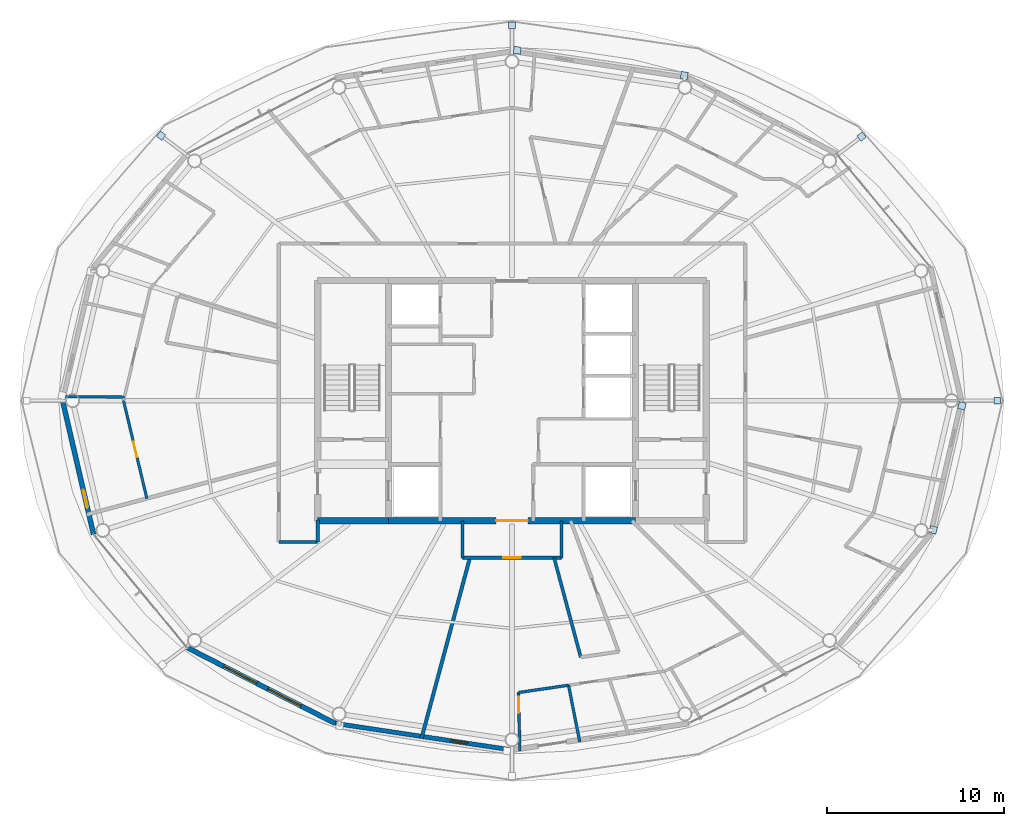
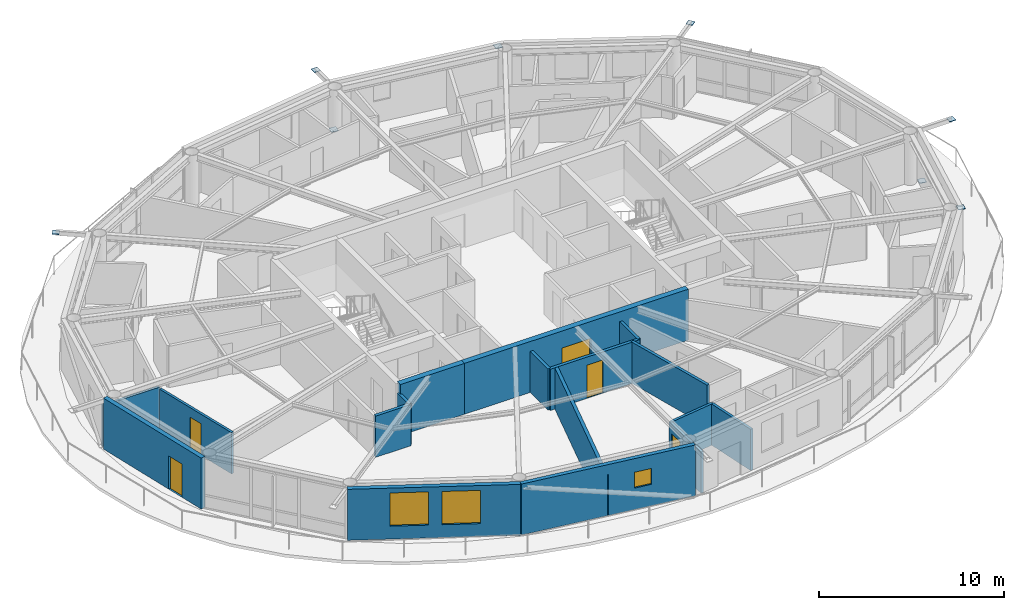
# One storey, part 15 of 23: 17 walls, 8 plates, 5 doors, 3 windows, 8 openings.
"""IFC4 building model written with IfcOpenShell, lengths in metres."""

from ifc_helpers import new_model, si_unit, direction, frame, frame_2d, origin, origin_2d, place, context, subcontext, project, spatial, rectangle, extrude, material, layer, layer_set, type_object, element, fill, save


model = new_model("IFC4")

# Units and contexts
model_context = context("Model", 3, precision=1e-05, world=origin(), true_north=direction((0.0, 1.0)))
body_context = subcontext(model_context, "Body", "Model", "MODEL_VIEW")
ifc_project = project(units=[si_unit("LENGTHUNIT", "METRE"), si_unit("AREAUNIT", "SQUARE_METRE"), si_unit("VOLUMEUNIT", "CUBIC_METRE"), si_unit("PLANEANGLEUNIT", "RADIAN"), si_unit("MASSUNIT", "GRAM", prefix="KILO")], contexts=[model_context])

# Site, building, storey
site_placement = place(None, origin())
site = spatial("IfcSite", under=ifc_project, at=site_placement, CompositionType="ELEMENT")
building_placement = place(site_placement, origin())
building = spatial("IfcBuilding", under=site, at=building_placement, Name="Sarneth Arch Tower", CompositionType="ELEMENT")
storey_placement = place(building_placement, frame((0.0, 0.0, 269.39990234375)))
storey = spatial("IfcBuildingStorey", under=building, at=storey_placement, Name="L69", CompositionType="ELEMENT", Elevation=269.39990234375)

# Plates
ifc_material_1 = material(Name="Steel S355", Category="steel")
ifc_layer_1 = layer(ifc_material_1, 0.035888671875)
ifc_layer_set_1 = layer_set([ifc_layer_1], Name="Steel S355")
plate_type = type_object("IfcPlateType", Name="PLT-GUSSET-30", PredefinedType="SHEET", material=ifc_layer_set_1)
for number, where, z_axis, x_axis, name in (
    (1, (75.47900390625, 42.0, 3.1923828125), (0.0, 0.0, 1.0), (1.0, 0.0, 0.0), "Steel end cap plate GP-1"),
    (2, (67.79248046875, 56.948974609375, 3.1923828125), (0.0, 0.0, 1.0), (0.798004853043, 0.602651022168, 0.0), "Steel end cap plate GP-1"),
):
    element("IfcPlate", number, at=place(storey_placement, frame(where, z_axis=z_axis, x_axis=x_axis)), inside=storey, type_object=plate_type, Name=name, PredefinedType="SHEET", context=body_context, shape_type="SweptSolid", body=[
        extrude(rectangle(XDim=0.3798828125, YDim=0.3798828125, at=origin_2d()), origin(), (0.0, 0.0, 1.0), 0.035888671875),
    ])
for number, where, z_axis, x_axis, name in (
    (3, (48.296630859375, 61.83544921875, 0.001953125), (0.0, 0.0, 1.0), (-0.988860535448, 0.148845024885, 0.0), "Steel end cap plate GP-1"),
    (4, (57.754150390625, 60.411376953125, 3.07421875), (0.0, 0.0, 1.0), (-0.988860535448, 0.148845024885, 0.0), "Steel end cap plate GP-1"),
):
    element("IfcPlate", number, at=place(storey_placement, frame(where, z_axis=z_axis, x_axis=x_axis)), inside=storey, type_object=plate_type, Name=name, PredefinedType="SHEET", context=body_context, shape_type="SweptSolid", body=[
        extrude(rectangle(XDim=0.404052734375, YDim=0.404052734375, at=origin_2d()), origin(), (0.0, 0.0, 1.0), 0.035888671875),
    ])
for number, where, z_axis, x_axis, name in (
    (5, (48.0, 63.254150390625, 3.1923828125), (0.0, 0.0, 1.0), (0.0, 1.0, 0.0), "Steel end cap plate GP-1"),
    (6, (28.13134765625, 57.006591796875, 3.1923828125), (0.0, 0.0, 1.0), (-0.798004853043, 0.602651022168, 0.0), "Steel end cap plate GP-1"),
):
    element("IfcPlate", number, at=place(storey_placement, frame(where, z_axis=z_axis, x_axis=x_axis)), inside=storey, type_object=plate_type, Name=name, PredefinedType="SHEET", context=body_context, shape_type="SweptSolid", body=[
        extrude(rectangle(XDim=0.3798828125, YDim=0.3798828125, at=origin_2d()), origin(), (0.0, 0.0, 1.0), 0.035888671875),
    ])
for number, where, z_axis, x_axis, name in (
    (7, (73.4765625, 41.707763671875, 0.001953125), (0.0, 0.0, 1.0), (0.225461202458, 0.974252147129, 0.0), "Steel end cap plate GP-1"),
    (8, (71.851806640625, 34.6845703125, 3.07421875), (0.0, 0.0, 1.0), (0.225461202458, 0.974252147129, 0.0), "Steel end cap plate GP-1"),
):
    element("IfcPlate", number, at=place(storey_placement, frame(where, z_axis=z_axis, x_axis=x_axis)), inside=storey, type_object=plate_type, Name=name, PredefinedType="SHEET", context=body_context, shape_type="SweptSolid", body=[
        extrude(rectangle(XDim=0.404052734375, YDim=0.404052734375, at=origin_2d()), origin(), (0.0, 0.0, 1.0), 0.035888671875),
    ])

# Wall
ifc_material_2 = material(Name="Concrete C50/60", Category="concrete")
ifc_layer_2 = layer(ifc_material_2, 0.35009765625)
ifc_layer_set_2 = layer_set([ifc_layer_2], Name="Concrete C50/60")
wall_type_1 = type_object("IfcWallType", Name="WALL-CORE-350", PredefinedType="SHEAR", material=ifc_layer_set_2)
wall_1_placement = place(storey_placement, frame((37.0, 35.199951171875, 0.0), z_axis=(0.0, 0.0, 1.0), x_axis=(1.0, 0.0, 0.0)))
element("IfcWall", 9, at=wall_1_placement, inside=storey, type_object=wall_type_1, Name="L69 Core shear wall S-W", PredefinedType="SHEAR", context=body_context, shape_type="SweptSolid", body=[
    extrude(rectangle(XDim=4.0, YDim=0.35009765625, at=frame_2d((2.0, 0.0))), origin(), (0.0, 0.0, 1.0), 3.3701171875),
])

# Wall, opening, door
wall_2_placement = place(storey_placement, frame((41.0, 35.199951171875, 0.0), z_axis=(0.0, 0.0, 1.0), x_axis=(1.0, 0.0, 0.0)))
wall_2 = element("IfcWall", 10, at=wall_2_placement, inside=storey, type_object=wall_type_1, Name="L69 Core shear wall S-M", PredefinedType="SHEAR", context=body_context, shape_type="SweptSolid", body=[
    extrude(rectangle(XDim=14.0, YDim=0.35009765625, at=frame_2d((7.0, 0.0))), origin(), (0.0, 0.0, 1.0), 3.3701171875),
])
opening_1_placement = place(wall_2_placement, frame((6.10009765625, 0.0, 0.0)))
opening_1 = element("IfcOpeningElement", 11, at=opening_1_placement, cuts=wall_2, Name="Opening FD-01", PredefinedType="OPENING", context=body_context, shape_type="SweptSolid", body=[
    extrude(rectangle(XDim=1.800048828125, YDim=2.25, at=frame_2d((0.89990234375, 1.125))), frame((0.0, 0.18505859375, 0.0), z_axis=(0.0, -1.0, 0.0), x_axis=(1.0, 0.0, 0.0)), (0.0, 0.0, 1.0), 0.3701171875),
])
ifc_material_3 = material(Name="Galvanised Steel S275 fire door set", Category="steel")
door_type_1 = type_object("IfcDoorType", Name="DR-FD90-1800", OperationType="DOUBLE_DOOR_SINGLE_SWING", PredefinedType="DOOR", material=ifc_material_3)
door_1_placement = place(opening_1_placement, origin())
door_1 = element("IfcDoor", 12, at=door_1_placement, inside=storey, type_object=door_type_1, Name="L69 Central lift lobby south door", OperationType="DOUBLE_DOOR_SINGLE_SWING", OverallHeight=2.25, OverallWidth=1.800048828125, PredefinedType="DOOR", context=body_context, shape_type="SweptSolid", body=[
    extrude(rectangle(XDim=1.800048828125, YDim=2.25, at=frame_2d((0.89990234375, 1.125))), frame((0.0, 0.02490234375, 0.0), z_axis=(0.0, -1.0, 0.0), x_axis=(1.0, 0.0, 0.0)), (0.0, 0.0, 1.0), 0.050048828125),
])
fill(opening_1, door_1)

ifc_material_4 = material(Name="Double steel-stud corridor fire wall", Category="steel")
ifc_layer_3 = layer(ifc_material_4, 0.18994140625)
ifc_layer_set_3 = layer_set([ifc_layer_3], Name="Double steel-stud corridor fire wall")
wall_type_2 = type_object("IfcWallType", Name="WALL-CORR-190", PredefinedType="PARTITIONING", material=ifc_layer_set_3)
wall_3_placement = place(storey_placement, frame((50.800048828125, 33.10009765625, 0.0), z_axis=(0.0, 0.0, 1.0), x_axis=(-1.0, 0.0, 0.0)))
wall_3 = element("IfcWall", 13, at=wall_3_placement, inside=storey, type_object=wall_type_2, Name="L69 Interior partition W-L69-TP-021", PredefinedType="PARTITIONING", context=body_context, shape_type="SweptSolid", body=[
    extrude(rectangle(XDim=5.60009765625, YDim=0.18994140625, at=frame_2d((2.800048828125, 0.0))), origin(), (0.0, 0.0, 1.0), 2.72998046875),
])
opening_2_placement = place(wall_3_placement, frame((2.300048828125, 0.0, 0.0)))
opening_2 = element("IfcOpeningElement", 14, at=opening_2_placement, cuts=wall_3, Name="Opening FD-08", PredefinedType="OPENING", context=body_context, shape_type="SweptSolid", body=[
    extrude(rectangle(XDim=1.0, YDim=2.199951171875, at=frame_2d((0.5, 1.10009765625))), frame((0.0, 0.10498046875, 0.0), z_axis=(0.0, -1.0, 0.0), x_axis=(1.0, 0.0, 0.0)), (0.0, 0.0, 1.0), 0.2099609375),
])
ifc_material_5 = material(Name="Hardwood timber acoustic fire door", Category="wood")
door_type_2 = type_object("IfcDoorType", Name="DR-FD60-1000", OperationType="SINGLE_SWING_LEFT", PredefinedType="DOOR", material=ifc_material_5)
door_2_placement = place(opening_2_placement, origin())
door_2 = element("IfcDoor", 15, at=door_2_placement, inside=storey, type_object=door_type_2, Name="L69 Interior door DR-L69-U5-ENT", OperationType="SINGLE_SWING_LEFT", OverallHeight=2.199951171875, OverallWidth=1.0, PredefinedType="DOOR", context=body_context, shape_type="SweptSolid", body=[
    extrude(rectangle(XDim=1.0, YDim=2.199951171875, at=frame_2d((0.5, 1.10009765625))), frame((0.0, 0.02490234375, 0.0), z_axis=(0.0, -1.0, 0.0), x_axis=(1.0, 0.0, 0.0)), (0.0, 0.0, 1.0), 0.050048828125),
])
fill(opening_2, door_2)

# Walls
wall_4_placement = place(storey_placement, frame((37.0, 34.0, 0.0), z_axis=(0.0, 0.0, 1.0), x_axis=(-1.0, 0.0, 0.0)))
element("IfcWall", 16, at=wall_4_placement, inside=storey, type_object=wall_type_2, Name="L69 Interior partition W-L69-TP-012", PredefinedType="PARTITIONING", context=body_context, shape_type="SweptSolid", body=[
    extrude(rectangle(XDim=2.199951171875, YDim=0.18994140625, at=frame_2d((1.10009765625, 0.0))), origin(), (0.0, 0.0, 1.0), 2.72998046875),
])
wall_5_placement = place(storey_placement, frame((45.199951171875, 35.199951171875, 0.0), z_axis=(0.0, 0.0, 1.0), x_axis=(0.0, -1.0, 0.0)))
element("IfcWall", 17, at=wall_5_placement, inside=storey, type_object=wall_type_2, Name="L69 Interior partition W-L69-TP-019", PredefinedType="PARTITIONING", context=body_context, shape_type="SweptSolid", body=[
    extrude(rectangle(XDim=2.099853515625, YDim=0.18994140625, at=frame_2d((1.0498046875, 0.0))), origin(), (0.0, 0.0, 1.0), 2.72998046875),
])
wall_6_placement = place(storey_placement, frame((37.0, 35.23193359375, 0.0), z_axis=(0.0, 0.0, 1.0), x_axis=(0.0, -1.0, 0.0)))
element("IfcWall", 18, at=wall_6_placement, inside=storey, type_object=wall_type_2, Name="L69 Interior partition W-L69-TP-011", PredefinedType="PARTITIONING", context=body_context, shape_type="SweptSolid", body=[
    extrude(rectangle(XDim=1.23193359375, YDim=0.18994140625, at=frame_2d((0.615966796875, 0.0))), origin(), (0.0, 0.0, 1.0), 2.72998046875),
])

# Wall, opening, window
ifc_material_6 = material(Name="Extruded terracotta rainscreen on Concrete C40/50 backing", Category="masonry")
ifc_layer_4 = layer(ifc_material_6, 0.25)
ifc_layer_set_4 = layer_set([ifc_layer_4], Name="Extruded terracotta rainscreen on Concrete C40/50 backing")
wall_type_3 = type_object("IfcWallType", Name="WALL-EXT-SPAND-250", PredefinedType="SOLIDWALL", material=ifc_layer_set_4)
wall_7_placement = place(storey_placement, frame((37.9873046875, 23.7255859375, 0.0), z_axis=(0.0, 0.0, 1.0), x_axis=(0.988882522213, -0.148698881169, 0.0)))
wall_7 = element("IfcWall", 19, at=wall_7_placement, inside=storey, type_object=wall_type_3, Name="L69 Terracotta perimeter wall 12", PredefinedType="SOLIDWALL", context=body_context, shape_type="SweptSolid", body=[
    extrude(rectangle(XDim=10.125244140625, YDim=0.25, at=frame_2d((5.0625, 0.0))), origin(), (0.0, 0.0, 1.0), 3.3701171875),
])
opening_3_placement = place(wall_7_placement, frame((6.58056640625, 0.0, 1.419921875)))
opening_3 = element("IfcOpeningElement", 20, at=opening_3_placement, cuts=wall_7, Name="Opening W-14", PredefinedType="OPENING", context=body_context, shape_type="SweptSolid", body=[
    extrude(rectangle(XDim=1.0, YDim=1.050048828125, at=frame_2d((0.5, 0.52490234375))), frame((0.0, 0.135009765625, 0.0), z_axis=(0.0, -1.0, 0.0), x_axis=(1.0, 0.0, 0.0)), (0.0, 0.0, 1.0), 0.27001953125),
])
ifc_material_7 = material(Name="Thermally broken Aluminium 6063-T6 and low-e laminated IGU", Category="aluminium")
window_type_1 = type_object("IfcWindowType", Name="WIN-TWR-1000x1050", PartitioningType="SINGLE_PANEL", PredefinedType="WINDOW", material=ifc_material_7)
window_1_placement = place(opening_3_placement, origin())
window_1 = element("IfcWindow", 21, at=window_1_placement, inside=storey, type_object=window_type_1, Name="L69 Dwelling bedroom window 04", OverallHeight=1.050048828125, OverallWidth=1.0, PartitioningType="SINGLE_PANEL", PredefinedType="WINDOW", context=body_context, shape_type="SweptSolid", body=[
    extrude(rectangle(XDim=1.0, YDim=1.050048828125, at=frame_2d((0.5, 0.52490234375))), frame((0.0, 0.030029296875, 0.0), z_axis=(0.0, -1.0, 0.0), x_axis=(1.0, 0.0, 0.0)), (0.0, 0.0, 1.0), 0.06005859375),
])
fill(opening_3, window_1)

# Wall, opening, door
ifc_material_8 = material(Name="Extruded terracotta rainscreen on Concrete C40/50 backing", Category="masonry")
ifc_layer_5 = layer(ifc_material_8, 0.280029296875)
ifc_layer_set_5 = layer_set([ifc_layer_5], Name="Extruded terracotta rainscreen on Concrete C40/50 backing")
wall_type_4 = type_object("IfcWallType", Name="WALL-EXT-TERRA-280", PredefinedType="SOLIDWALL", material=ifc_layer_set_5)
wall_8_placement = place(storey_placement, frame((22.552978515625, 42.0, 0.0), z_axis=(0.0, 0.0, 1.0), x_axis=(0.225635078214, -0.974211892495, 0.0)))
wall_8 = element("IfcWall", 22, at=wall_8_placement, inside=storey, type_object=wall_type_4, Name="L69 Terracotta perimeter wall 09", PredefinedType="SOLIDWALL", context=body_context, shape_type="SweptSolid", body=[
    extrude(rectangle(XDim=7.77001953125, YDim=0.280029296875, at=frame_2d((3.885009765625, 0.0))), origin(), (0.0, 0.0, 1.0), 3.3701171875),
])
opening_4_placement = place(wall_8_placement, frame((5.192138671875, 0.0, 0.0)))
opening_4 = element("IfcOpeningElement", 23, at=opening_4_placement, cuts=wall_8, Name="Opening BD-4", PredefinedType="OPENING", context=body_context, shape_type="SweptSolid", body=[
    extrude(rectangle(XDim=1.050048828125, YDim=2.199951171875, at=frame_2d((0.52490234375, 1.10009765625))), frame((0.0, 0.14990234375, 0.0), z_axis=(0.0, -1.0, 0.0), x_axis=(1.0, 0.0, 0.0)), (0.0, 0.0, 1.0), 0.300048828125),
])
ifc_material_9 = material(Name="Thermally broken Aluminium 6063-T6 and laminated safety glass", Category="aluminium")
door_type_3 = type_object("IfcDoorType", Name="DR-BALC-GLZ-1050", OperationType="SINGLE_SWING_RIGHT", PredefinedType="DOOR", material=ifc_material_9)
door_3_placement = place(opening_4_placement, origin())
door_3 = element("IfcDoor", 24, at=door_3_placement, inside=storey, type_object=door_type_3, Name="L69 Balcony glazed door 09", OperationType="SINGLE_SWING_RIGHT", OverallHeight=2.199951171875, OverallWidth=1.050048828125, PredefinedType="DOOR", context=body_context, shape_type="SweptSolid", body=[
    extrude(rectangle(XDim=1.050048828125, YDim=2.199951171875, at=frame_2d((0.52490234375, 1.10009765625))), frame((0.0, 0.02490234375, 0.0), z_axis=(0.0, -1.0, 0.0), x_axis=(1.0, 0.0, 0.0)), (0.0, 0.0, 1.0), 0.050048828125),
])
fill(opening_4, door_3)

# Wall, openings, windows
wall_9_placement = place(storey_placement, frame((29.617431640625, 28.013427734375, 0.0), z_axis=(0.0, 0.0, 1.0), x_axis=(0.890007394051, -0.455946091699, 0.0)))
wall_9 = element("IfcWall", 25, at=wall_9_placement, inside=storey, type_object=wall_type_4, Name="L69 Terracotta perimeter wall 11", PredefinedType="SOLIDWALL", context=body_context, shape_type="SweptSolid", body=[
    extrude(rectangle(XDim=9.404296875, YDim=0.280029296875, at=frame_2d((4.7021484375, 0.0))), origin(), (0.0, 0.0, 1.0), 3.3701171875),
])
opening_5_placement = place(wall_9_placement, frame((2.302734375, 0.0, 0.85009765625)))
opening_5 = element("IfcOpeningElement", 26, at=opening_5_placement, cuts=wall_9, Name="Opening W-03", PredefinedType="OPENING", context=body_context, shape_type="SweptSolid", body=[
    extrude(rectangle(XDim=2.10009765625, YDim=2.199951171875, at=frame_2d((1.050048828125, 1.10009765625))), frame((0.0, 0.14990234375, 0.0), z_axis=(0.0, -1.0, 0.0), x_axis=(1.0, 0.0, 0.0)), (0.0, 0.0, 1.0), 0.300048828125),
])
opening_6_placement = place(wall_9_placement, frame((5.1298828125, 0.0, 0.85009765625)))
opening_6 = element("IfcOpeningElement", 27, at=opening_6_placement, cuts=wall_9, Name="Opening W-03", PredefinedType="OPENING", context=body_context, shape_type="SweptSolid", body=[
    extrude(rectangle(XDim=2.10009765625, YDim=2.199951171875, at=frame_2d((1.050048828125, 1.10009765625))), frame((0.0, 0.14990234375, 0.0), z_axis=(0.0, -1.0, 0.0), x_axis=(1.0, 0.0, 0.0)), (0.0, 0.0, 1.0), 0.300048828125),
])
ifc_material_10 = material(Name="Thermally broken Aluminium 6063-T6 and low-e laminated IGU", Category="aluminium")
window_type_2 = type_object("IfcWindowType", Name="WIN-TWR-2100x2200", PartitioningType="DOUBLE_PANEL_VERTICAL", PredefinedType="WINDOW", material=ifc_material_10)
window_2_placement = place(opening_5_placement, origin())
window_2 = element("IfcWindow", 28, at=window_2_placement, inside=storey, type_object=window_type_2, Name="L69 Exterior window 11A", OverallHeight=2.199951171875, OverallWidth=2.10009765625, PartitioningType="SINGLE_PANEL", PredefinedType="WINDOW", context=body_context, shape_type="SweptSolid", body=[
    extrude(rectangle(XDim=2.10009765625, YDim=2.199951171875, at=frame_2d((1.050048828125, 1.10009765625))), frame((0.0, 0.030029296875, 0.0), z_axis=(0.0, -1.0, 0.0), x_axis=(1.0, 0.0, 0.0)), (0.0, 0.0, 1.0), 0.06005859375),
])
fill(opening_5, window_2)
window_3_placement = place(opening_6_placement, origin())
window_3 = element("IfcWindow", 29, at=window_3_placement, inside=storey, type_object=window_type_2, Name="L69 Exterior window 11B", OverallHeight=2.199951171875, OverallWidth=2.10009765625, PartitioningType="SINGLE_PANEL", PredefinedType="WINDOW", context=body_context, shape_type="SweptSolid", body=[
    extrude(rectangle(XDim=2.10009765625, YDim=2.199951171875, at=frame_2d((1.050048828125, 1.10009765625))), frame((0.0, 0.030029296875, 0.0), z_axis=(0.0, -1.0, 0.0), x_axis=(1.0, 0.0, 0.0)), (0.0, 0.0, 1.0), 0.06005859375),
])
fill(opening_6, window_3)

# Wall, opening, door
ifc_material_11 = material(Name="Acoustic gypsum stud partition", Category="gypsum")
ifc_layer_6 = layer(ifc_material_11, 0.14990234375)
ifc_layer_set_6 = layer_set([ifc_layer_6], Name="Acoustic gypsum stud partition")
wall_type_5 = type_object("IfcWallType", Name="WALL-PART-150", PredefinedType="PARTITIONING", material=ifc_layer_set_6)
wall_10_placement = place(storey_placement, frame((26.003662109375, 42.0, 0.0), z_axis=(0.0, 0.0, 1.0), x_axis=(0.232304342064, -0.972643147644, 0.0)))
wall_10 = element("IfcWall", 30, at=wall_10_placement, inside=storey, type_object=wall_type_5, Name="L69 Interior partition W-L69-TP-066", PredefinedType="PARTITIONING", context=body_context, shape_type="SweptSolid", body=[
    extrude(rectangle(XDim=5.695068359375, YDim=0.14990234375, at=frame_2d((2.84765625, 0.0))), origin(), (0.0, 0.0, 1.0), 2.72998046875),
])
opening_7_placement = place(wall_10_placement, frame((2.397705078125, 0.0, 0.0)))
opening_7 = element("IfcOpeningElement", 31, at=opening_7_placement, cuts=wall_10, Name="Opening ID-01", PredefinedType="OPENING", context=body_context, shape_type="SweptSolid", body=[
    extrude(rectangle(XDim=0.89990234375, YDim=2.10009765625, at=frame_2d((0.449951171875, 1.050048828125))), frame((0.0, 0.0849609375, 0.0), z_axis=(0.0, -1.0, 0.0), x_axis=(1.0, 0.0, 0.0)), (0.0, 0.0, 1.0), 0.169921875),
])
ifc_material_12 = material(Name="Engineered hardwood flush door", Category="wood")
door_type_4 = type_object("IfcDoorType", Name="DR-INT-900", OperationType="SINGLE_SWING_LEFT", PredefinedType="DOOR", material=ifc_material_12)
door_4_placement = place(opening_7_placement, origin())
door_4 = element("IfcDoor", 32, at=door_4_placement, inside=storey, type_object=door_type_4, Name="L69 Interior door DR-L69-U3-BED2", OperationType="SINGLE_SWING_LEFT", OverallHeight=2.10009765625, OverallWidth=0.89990234375, PredefinedType="DOOR", context=body_context, shape_type="SweptSolid", body=[
    extrude(rectangle(XDim=0.89990234375, YDim=2.10009765625, at=frame_2d((0.449951171875, 1.050048828125))), frame((0.0, 0.02490234375, 0.0), z_axis=(0.0, -1.0, 0.0), x_axis=(1.0, 0.0, 0.0)), (0.0, 0.0, 1.0), 0.050048828125),
])
fill(opening_7, door_4)

# Wall
wall_11_placement = place(storey_placement, frame((22.487060546875, 42.234375, 0.0), z_axis=(0.0, 0.0, 1.0), x_axis=(0.999957889833, -0.009177067135, 0.0)))
element("IfcWall", 33, at=wall_11_placement, inside=storey, type_object=wall_type_5, Name="L69 Interior partition W-L69-TP-070", PredefinedType="PARTITIONING", context=body_context, shape_type="SweptSolid", body=[
    extrude(rectangle(XDim=3.56494140625, YDim=0.14990234375, at=frame_2d((1.782470703125, 0.0))), origin(), (0.0, 0.0, 1.0), 2.72998046875),
])

# Wall, opening, door
ifc_material_13 = material(Name="Kitchen wet service chase wall", Category="gypsum")
ifc_layer_7 = layer(ifc_material_13, 0.159912109375)
ifc_layer_set_7 = layer_set([ifc_layer_7], Name="Kitchen wet service chase wall")
wall_type_6 = type_object("IfcWallType", Name="WALL-PLUMB-160", PredefinedType="PLUMBINGWALL", material=ifc_layer_set_7)
wall_12_placement = place(storey_placement, frame((48.441650390625, 22.166015625, 0.0), z_axis=(0.0, 0.0, 1.0), x_axis=(-0.022285576985, 0.999751645689, 0.0)))
wall_12 = element("IfcWall", 34, at=wall_12_placement, inside=storey, type_object=wall_type_6, Name="L69 Interior partition W-L69-TP-073", PredefinedType="PLUMBINGWALL", context=body_context, shape_type="SweptSolid", body=[
    extrude(rectangle(XDim=3.308349609375, YDim=0.159912109375, at=frame_2d((1.654296875, 0.0))), origin(), (0.0, 0.0, 1.0), 2.72998046875),
])
opening_8_placement = place(wall_12_placement, frame((2.164306640625, 0.0, 0.0)))
opening_8 = element("IfcOpeningElement", 35, at=opening_8_placement, cuts=wall_12, Name="Opening ID-01", PredefinedType="OPENING", context=body_context, shape_type="SweptSolid", body=[
    extrude(rectangle(XDim=0.89990234375, YDim=2.10009765625, at=frame_2d((0.449951171875, 1.050048828125))), frame((0.0, 0.08984375, 0.0), z_axis=(0.0, -1.0, 0.0), x_axis=(1.0, 0.0, 0.0)), (0.0, 0.0, 1.0), 0.179931640625),
])
door_5_placement = place(opening_8_placement, origin())
door_5 = element("IfcDoor", 36, at=door_5_placement, inside=storey, type_object=door_type_4, Name="L69 Interior door DR-L69-U5-KIT", OperationType="SINGLE_SWING_LEFT", OverallHeight=2.10009765625, OverallWidth=0.89990234375, PredefinedType="DOOR", context=body_context, shape_type="SweptSolid", body=[
    extrude(rectangle(XDim=0.89990234375, YDim=2.10009765625, at=frame_2d((0.449951171875, 1.050048828125))), frame((0.0, 0.02490234375, 0.0), z_axis=(0.0, -1.0, 0.0), x_axis=(1.0, 0.0, 0.0)), (0.0, 0.0, 1.0), 0.050048828125),
])
fill(opening_8, door_5)

# Walls
wall_13_placement = place(storey_placement, frame((51.20068359375, 25.88671875, 0.0), z_axis=(0.0, 0.0, 1.0), x_axis=(0.194810759156, -0.980840847496, 0.0)))
element("IfcWall", 37, at=wall_13_placement, inside=storey, type_object=wall_type_6, Name="L69 Interior partition W-L69-TP-083", PredefinedType="PLUMBINGWALL", context=body_context, shape_type="SweptSolid", body=[
    extrude(rectangle(XDim=3.2734375, YDim=0.159912109375, at=frame_2d((1.63671875, 0.0))), origin(), (0.0, 0.0, 1.0), 2.72998046875),
])
wall_14_placement = place(storey_placement, frame((48.367919921875, 25.4736328125, 0.0), z_axis=(0.0, 0.0, 1.0), x_axis=(0.989534249572, 0.144298194456, 0.0)))
element("IfcWall", 38, at=wall_14_placement, inside=storey, type_object=wall_type_6, Name="L69 Interior partition W-L69-TP-074", PredefinedType="PLUMBINGWALL", context=body_context, shape_type="SweptSolid", body=[
    extrude(rectangle(XDim=2.86279296875, YDim=0.159912109375, at=frame_2d((1.431396484375, 0.0))), origin(), (0.0, 0.0, 1.0), 2.72998046875),
])
ifc_material_14 = material(Name="Moisture-resistant plumbing chase wall", Category="gypsum")
ifc_layer_8 = layer(ifc_material_14, 0.179931640625)
ifc_layer_set_8 = layer_set([ifc_layer_8], Name="Moisture-resistant plumbing chase wall")
wall_type_7 = type_object("IfcWallType", Name="WALL-PLUMB-180", PredefinedType="PLUMBINGWALL", material=ifc_layer_set_8)
wall_15_placement = place(storey_placement, frame((51.8916015625, 27.476806640625, 0.0), z_axis=(0.0, 0.0, 1.0), x_axis=(-0.258831810373, 0.965922405755, 0.0)))
element("IfcWall", 39, at=wall_15_placement, inside=storey, type_object=wall_type_7, Name="L69 Interior partition W-L69-TP-077", PredefinedType="PLUMBINGWALL", context=body_context, shape_type="SweptSolid", body=[
    extrude(rectangle(XDim=5.82177734375, YDim=0.179931640625, at=frame_2d((2.910888671875, 0.0))), origin(), (0.0, 0.0, 1.0), 2.72998046875),
])
wall_16_placement = place(storey_placement, frame((50.800048828125, 35.199951171875, 0.0), z_axis=(0.0, 0.0, 1.0), x_axis=(0.0, -1.0, 0.0)))
element("IfcWall", 40, at=wall_16_placement, inside=storey, type_object=wall_type_7, Name="L69 Interior partition W-L69-TP-022", PredefinedType="PLUMBINGWALL", context=body_context, shape_type="SweptSolid", body=[
    extrude(rectangle(XDim=2.099853515625, YDim=0.179931640625, at=frame_2d((1.0498046875, 0.0))), origin(), (0.0, 0.0, 1.0), 2.72998046875),
])
ifc_material_15 = material(Name="Double steel-stud acoustic drywall", Category="steel")
ifc_layer_9 = layer(ifc_material_15, 0.199951171875)
ifc_layer_set_9 = layer_set([ifc_layer_9], Name="Double steel-stud acoustic drywall")
wall_type_8 = type_object("IfcWallType", Name="WALL-UNIT-200", PredefinedType="PARTITIONING", material=ifc_layer_set_9)
wall_17_placement = place(storey_placement, frame((42.8740234375, 22.8701171875, 0.0), z_axis=(0.0, 0.0, 1.0), x_axis=(0.258827496332, 0.965923561749, 0.0)))
element("IfcWall", 41, at=wall_17_placement, inside=storey, type_object=wall_type_8, Name="L69 Interior partition W-L69-TP-072", PredefinedType="PARTITIONING", context=body_context, shape_type="SweptSolid", body=[
    extrude(rectangle(XDim=10.5908203125, YDim=0.199951171875, at=frame_2d((5.29541015625, 0.0))), origin(), (0.0, 0.0, 1.0), 2.72998046875),
])

save(model, "model.ifc")
